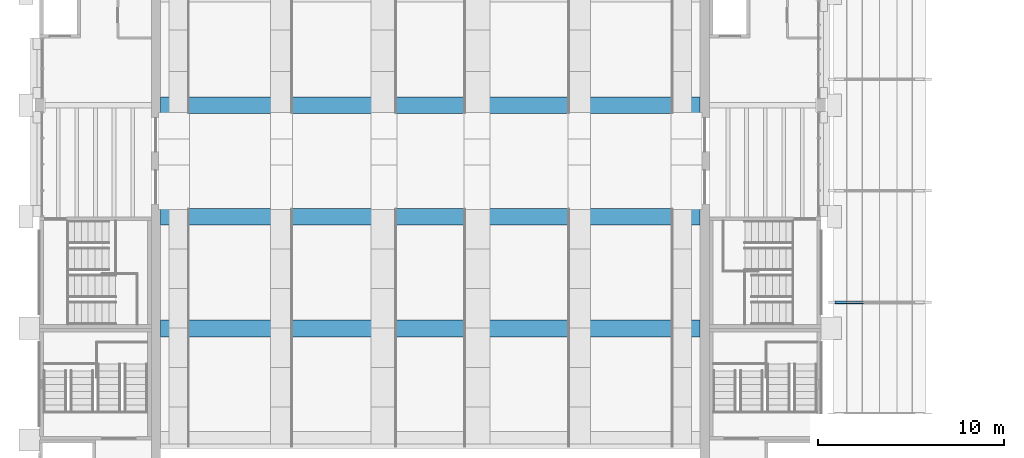
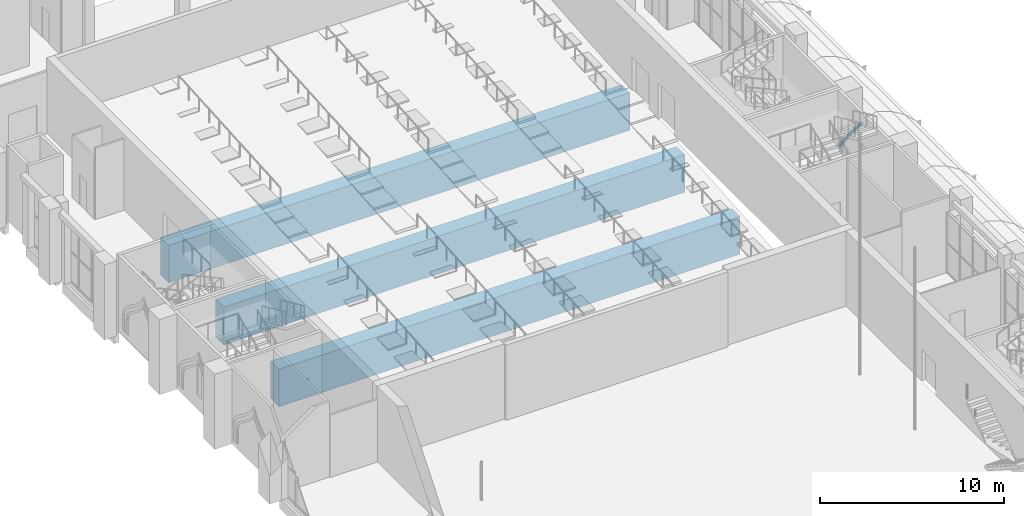
# One storey, part 20 of 80: 5 beams.
"""IFC4 building model written with IfcOpenShell, lengths in metres."""

from ifc_helpers import new_model, si_unit, direction, frame, origin, origin_2d, place, context, subcontext, project, spatial, rectangle, hollow_rectangle, extrude, material, material_profile, profile_set, type_object, element, save


model = new_model("IFC4")

# Units and contexts
model_context = context("Model", 3, precision=1e-05, world=origin(), true_north=direction((0.0, 1.0)))
body_context = subcontext(model_context, "Body", "Model", "MODEL_VIEW")
ifc_project = project(units=[si_unit("LENGTHUNIT", "METRE"), si_unit("AREAUNIT", "SQUARE_METRE"), si_unit("VOLUMEUNIT", "CUBIC_METRE"), si_unit("PLANEANGLEUNIT", "RADIAN"), si_unit("MASSUNIT", "GRAM", prefix="KILO")], contexts=[model_context])

# Site, building, storey
site_placement = place(None, origin())
site = spatial("IfcSite", under=ifc_project, at=site_placement, CompositionType="ELEMENT")
building_placement = place(site_placement, origin())
building = spatial("IfcBuilding", under=site, at=building_placement, Name="Saffron Lane Theatres", CompositionType="ELEMENT")
storey_placement = place(building_placement, frame((0.0, 0.0, 7.0)))
storey = spatial("IfcBuildingStorey", under=building, at=storey_placement, Name="L01", CompositionType="ELEMENT", Elevation=7.0)

# Beams
ifc_material_1 = material(Name="Concrete N50 (50 MPa)", Category="concrete")
ifc_material_profile_1 = material_profile(ifc_material_1, rectangle(XDim=0.89990234375, YDim=2.5, at=origin_2d()))
ifc_profile_set_1 = profile_set([ifc_material_profile_1], Name="Concrete N50 (50 MPa)")
beam_type_1 = type_object("IfcBeamType", Name="RC-BEAM 900x2500", PredefinedType="BEAM", material=ifc_profile_set_1)
for number, where, z_axis, x_axis, name in (
    (1, (18.5, 66.0, -2.305908203125), (1.0, 0.0, 0.0), (0.0, 1.0, 0.0), "beam-L01-stalls-girder-66"),
    (2, (18.5, 72.0, -1.825927734375), (1.0, 0.0, 0.0), (0.0, 1.0, 0.0), "beam-L01-stalls-girder-72"),
    (3, (18.5, 78.0, -1.345947265625), (1.0, 0.0, 0.0), (0.0, 1.0, 0.0), "beam-L01-stalls-girder-78"),
):
    element("IfcBeam", number, at=place(storey_placement, frame(where, z_axis=z_axis, x_axis=x_axis)), inside=storey, type_object=beam_type_1, Name=name, PredefinedType="BEAM", context=body_context, shape_type="SweptSolid", body=[
        extrude(rectangle(XDim=0.89990234375, YDim=2.5, at=origin_2d()), origin(), (0.0, 0.0, 1.0), 29.0),
    ])
ifc_material_2 = material(Name="Steel Grade 350", Category="steel")
ifc_material_profile_2 = material_profile(ifc_material_2, hollow_rectangle(XDim=0.14990234375, YDim=0.14990234375, WallThickness=0.009033203125, InnerFilletRadius=0.00439453125, OuterFilletRadius=0.013427734375, at=origin_2d()))
ifc_profile_set_2 = profile_set([ifc_material_profile_2], Name="Steel Grade 350")
beam_type_2 = type_object("IfcBeamType", Name="ST-PORTAL RIB 150x150x9 SHS", PredefinedType="USERDEFINED", material=ifc_profile_set_2)
beam_1_placement = place(storey_placement, frame((54.807861328125, 67.39990234375, -0.075439453125), z_axis=(0.727908671932, 0.0, 0.685674095563), x_axis=(0.0, 1.0, 0.0)))
element("IfcBeam", 4, at=beam_1_placement, inside=storey, type_object=beam_type_2, Name="PR7A", ObjectType="PORTAL RIB", PredefinedType="USERDEFINED", context=body_context, shape_type="SweptSolid", body=[
    extrude(hollow_rectangle(XDim=0.14990234375, YDim=0.14990234375, WallThickness=0.009033203125, InnerFilletRadius=0.00439453125, OuterFilletRadius=0.013427734375, at=origin_2d()), origin(), (0.0, 0.0, 1.0), 0.861328125),
])
beam_2_placement = place(storey_placement, frame((55.447509765625, 67.39990234375, 0.52490234375), z_axis=(0.85587209681, 0.0, 0.517187542292), x_axis=(0.0, 1.0, 0.0)))
element("IfcBeam", 5, at=beam_2_placement, inside=storey, type_object=beam_type_2, Name="PR7B", ObjectType="PORTAL RIB", PredefinedType="USERDEFINED", context=body_context, shape_type="SweptSolid", body=[
    extrude(hollow_rectangle(XDim=0.14990234375, YDim=0.14990234375, WallThickness=0.009033203125, InnerFilletRadius=0.00439453125, OuterFilletRadius=0.013427734375, at=origin_2d()), origin(), (0.0, 0.0, 1.0), 0.932861328125),
])

save(model, "model.ifc")
